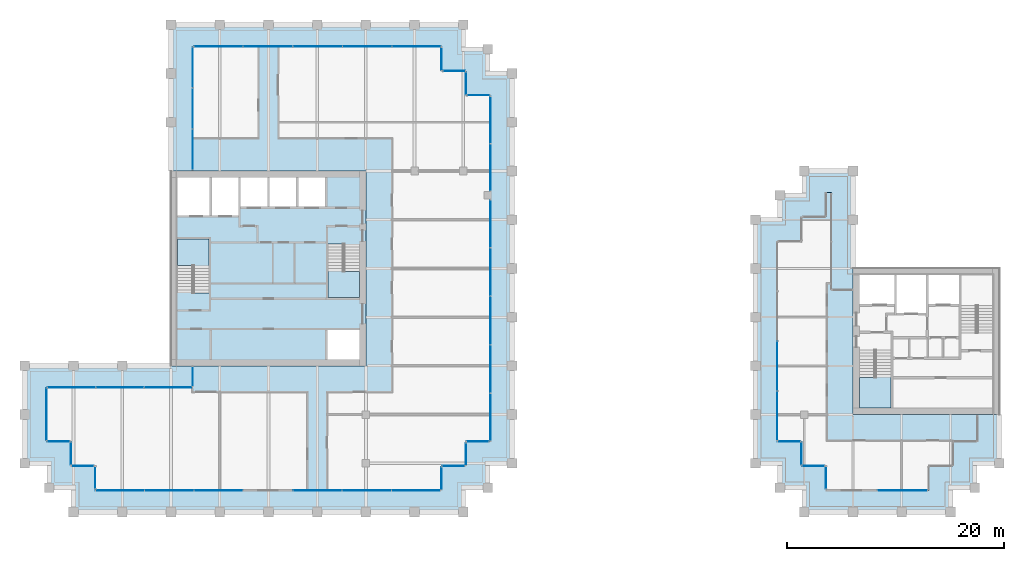
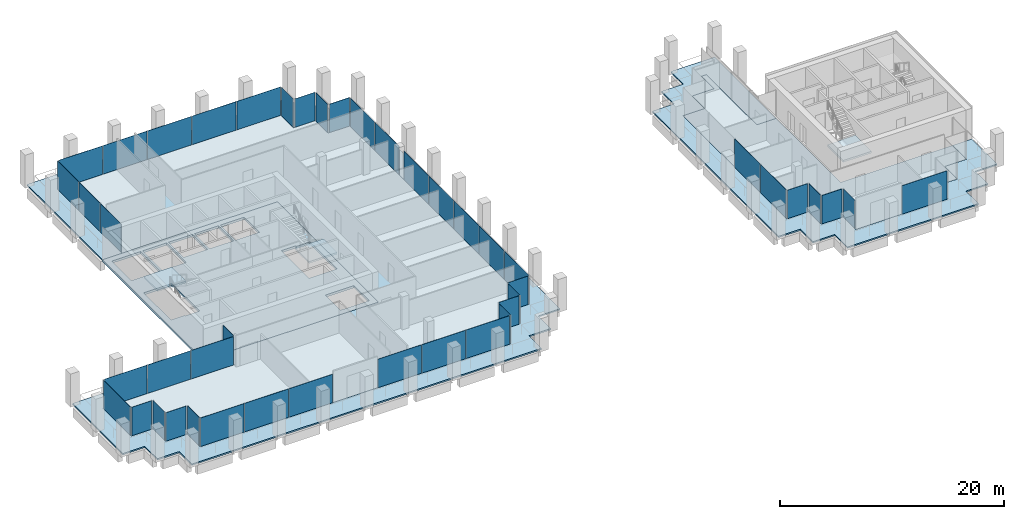
# One storey, part 34 of 40: 45 plates, 8 slabs, 30 elements without a shape of their own.
"""IFC4 building model written with IfcOpenShell, lengths in metres."""

from ifc_helpers import new_model, si_unit, direction, frame, origin, origin_2d, place, context, subcontext, project, spatial, polyline, rectangle, outline, extrude, material, layer, layer_set, type_object, element, aggregate, save


model = new_model("IFC4")

# Units and contexts
model_context = context("Model", 3, precision=1e-05, world=origin(), true_north=direction((0.0, 1.0)))
body_context = subcontext(model_context, "Body", "Model", "MODEL_VIEW")
ifc_project = project(units=[si_unit("LENGTHUNIT", "METRE"), si_unit("AREAUNIT", "SQUARE_METRE"), si_unit("VOLUMEUNIT", "CUBIC_METRE"), si_unit("PLANEANGLEUNIT", "RADIAN"), si_unit("MASSUNIT", "GRAM", prefix="KILO")], contexts=[model_context])

# Site, building, storey
site_placement = place(None, origin())
site = spatial("IfcSite", under=ifc_project, at=site_placement, CompositionType="ELEMENT")
building_placement = place(site_placement, origin())
building = spatial("IfcBuilding", under=site, at=building_placement, Name="Altepetl Exchange Towers", CompositionType="ELEMENT")
storey_placement = place(building_placement, frame((0.0, 0.0, 176.199951171875)))
storey = spatial("IfcBuildingStorey", under=building, at=storey_placement, Name="L44", CompositionType="ELEMENT", Elevation=176.199951171875)

# Slabs
ifc_material_1 = material(Name="Concrete C40/50", Category="concrete")
ifc_layer_1 = layer(ifc_material_1, 0.14990234375)
ifc_layer_set_1 = layer_set([ifc_layer_1], Name="Concrete C40/50")
slab_type_1 = type_object("IfcSlabType", Name="Composite floor slab 150", PredefinedType="FLOOR", material=ifc_layer_set_1)
slab_1_placement = place(storey_placement, frame((0.0, 0.0, -0.14990234375)))
element("IfcSlab", 1, at=slab_1_placement, inside=storey, type_object=slab_type_1, Name="slab:A:L44:strip0", PredefinedType="FLOOR", context=body_context, shape_type="SweptSolid", body=[
    extrude(outline(polyline([(42.5, 70.0), (42.5, 58.5), (58.5, 58.5), (58.5, 40.5), (42.5, 40.5), (42.5, 38.5), (29.0, 38.5), (29.0, 33.5), (31.25, 33.5), (31.25, 31.25), (33.5, 31.25), (33.5, 29.0), (65.5, 29.0), (65.5, 31.25), (67.75, 31.25), (67.75, 33.5), (70.0, 33.5), (70.0, 65.5), (67.75, 65.5), (67.75, 67.75), (65.5, 67.75), (65.5, 70.0), (42.5, 70.0)])), origin(), (0.0, 0.0, 1.0), 0.14990234375),
])
slab_2_placement = place(storey_placement, frame((0.0, 0.0, -0.14990234375)))
element("IfcSlab", 2, at=slab_2_placement, inside=storey, type_object=slab_type_1, Name="slab:B:L44:strip0", PredefinedType="FLOOR", context=body_context, shape_type="SweptSolid", body=[
    extrude(outline(polyline([(98.75, 31.25), (101.0, 31.25), (101.0, 29.0), (110.5, 29.0), (110.5, 31.25), (112.75, 31.25), (112.75, 33.5), (115.0, 33.5), (115.0, 36.0), (103.5, 36.0), (103.5, 47.5), (101.5, 47.5), (101.5, 56.5), (101.0, 56.5), (101.0, 54.25), (98.75, 54.25), (98.75, 52.0), (96.5, 52.0), (96.5, 33.5), (98.75, 33.5), (98.75, 31.25)])), origin(), (0.0, 0.0, 1.0), 0.14990234375),
])
ifc_layer_2 = layer(ifc_material_1, 0.25)
ifc_layer_set_2 = layer_set([ifc_layer_2], Name="Concrete C40/50")
slab_type_2 = type_object("IfcSlabType", Name="Core floor slab 250", PredefinedType="FLOOR", material=ifc_layer_set_2)
slab_3_placement = place(storey_placement, frame((0.0, 0.0, -0.25)))
element("IfcSlab", 3, at=slab_3_placement, inside=storey, type_object=slab_type_2, Name="slab:A:L44:core0", PredefinedType="FLOOR", context=body_context, shape_type="SweptSolid", body=[
    extrude(outline(polyline([(40.5, 40.5), (58.5, 40.5), (58.5, 58.5), (40.5, 58.5), (40.5, 40.5)]), holes=[polyline([(54.93310546875, 43.800048828125), (57.89990234375, 43.800048828125), (57.89990234375, 41.10009765625), (54.93310546875, 41.10009765625), (54.93310546875, 43.800048828125)]), polyline([(55.0, 51.7490234375), (56.5, 51.7490234375), (56.5, 51.64990234375), (57.89990234375, 51.64990234375), (57.89990234375, 46.800048828125), (55.0, 46.800048828125), (55.0, 51.7490234375)]), polyline([(44.0, 47.2509765625), (42.5, 47.2509765625), (42.5, 47.35009765625), (41.10009765625, 47.35009765625), (41.10009765625, 52.199951171875), (44.0, 52.199951171875), (44.0, 47.2509765625)]), polyline([(41.10009765625, 57.89990234375), (44.06689453125, 57.89990234375), (44.06689453125, 54.39990234375), (41.10009765625, 54.39990234375), (41.10009765625, 57.89990234375)]), polyline([(44.26708984375, 57.89990234375), (46.73291015625, 57.89990234375), (46.73291015625, 54.39990234375), (44.26708984375, 54.39990234375), (44.26708984375, 57.89990234375)]), polyline([(46.93310546875, 57.89990234375), (49.39990234375, 57.89990234375), (49.39990234375, 55.199951171875), (46.93310546875, 55.199951171875), (46.93310546875, 57.89990234375)]), polyline([(49.60009765625, 57.89990234375), (52.06689453125, 57.89990234375), (52.06689453125, 55.199951171875), (49.60009765625, 55.199951171875), (49.60009765625, 57.89990234375)]), polyline([(52.26708984375, 57.89990234375), (54.73291015625, 57.89990234375), (54.73291015625, 55.199951171875), (52.26708984375, 55.199951171875), (52.26708984375, 57.89990234375)])]), origin(), (0.0, 0.0, 1.0), 0.25),
])

# Curtain wall, plate
ifc_material_2 = material(Name="Aluminium 6063-T6 glazing", Category="aluminium")
curtain_wall_type = type_object("IfcCurtainWallType", Name="Loggia glazing system", PredefinedType="NOTDEFINED", material=ifc_material_2)
curtain_wall_1_placement = place(storey_placement, origin())
curtain_wall_1 = element("IfcCurtainWall", 4, at=curtain_wall_1_placement, inside=storey, type_object=curtain_wall_type, Name="CW1 run", PredefinedType="NOTDEFINED")
ifc_material_3 = material(Name="Glass 6-16-6 low emissivity", Category="glass")
ifc_layer_3 = layer(ifc_material_3, 0.028076171875)
ifc_layer_set_3 = layer_set([ifc_layer_3], Name="Glass 6-16-6 low emissivity")
plate_type = type_object("IfcPlateType", Name="Glass panel 28 double glazed", PredefinedType="CURTAIN_PANEL", material=ifc_layer_set_3)
plate_1_placement = place(storey_placement, frame((42.5, 39.53759765625, 0.0), z_axis=(0.0, 0.0, 1.0), x_axis=(0.0, -1.0, 0.0)))
plate_1 = element("IfcPlate", 5, at=plate_1_placement, type_object=plate_type, Name="GP1 panel", PredefinedType="CURTAIN_PANEL", context=body_context, shape_type="SweptSolid", body=[
    extrude(rectangle(XDim=1.804931640625, YDim=0.028076171875, at=origin_2d()), origin(), (0.0, 0.0, 1.0), 3.10009765625),
])
aggregate(curtain_wall_1, [plate_1])

# Curtain wall, plates
curtain_wall_2_placement = place(storey_placement, origin())
curtain_wall_2 = element("IfcCurtainWall", 6, at=curtain_wall_2_placement, inside=storey, type_object=curtain_wall_type, Name="CW1 run", PredefinedType="NOTDEFINED")
plate_2_placement = place(storey_placement, frame((40.24755859375, 38.5, 0.0), z_axis=(0.0, 0.0, 1.0), x_axis=(-1.0, 0.0, 0.0)))
plate_2 = element("IfcPlate", 7, at=plate_2_placement, type_object=plate_type, Name="GP1 panel", PredefinedType="CURTAIN_PANEL", context=body_context, shape_type="SweptSolid", body=[
    extrude(rectangle(XDim=4.385009765625, YDim=0.028076171875, at=origin_2d()), origin(), (0.0, 0.0, 1.0), 3.10009765625),
])
plate_3_placement = place(storey_placement, frame((35.78759765625, 38.5, 0.0), z_axis=(0.0, 0.0, 1.0), x_axis=(-1.0, 0.0, 0.0)))
plate_3 = element("IfcPlate", 8, at=plate_3_placement, type_object=plate_type, Name="GP1 panel", PredefinedType="CURTAIN_PANEL", context=body_context, shape_type="SweptSolid", body=[
    extrude(rectangle(XDim=4.4150390625, YDim=0.028076171875, at=origin_2d()), origin(), (0.0, 0.0, 1.0), 3.10009765625),
])
plate_4_placement = place(storey_placement, frame((31.327392578125, 38.5, 0.0), z_axis=(0.0, 0.0, 1.0), x_axis=(-1.0, 0.0, 0.0)))
plate_4 = element("IfcPlate", 9, at=plate_4_placement, type_object=plate_type, Name="GP1 panel", PredefinedType="CURTAIN_PANEL", context=body_context, shape_type="SweptSolid", body=[
    extrude(rectangle(XDim=4.385009765625, YDim=0.028076171875, at=origin_2d()), origin(), (0.0, 0.0, 1.0), 3.10009765625),
])
aggregate(curtain_wall_2, [plate_2, plate_3, plate_4])

# Curtain wall, plate
curtain_wall_3_placement = place(storey_placement, origin())
curtain_wall_3 = element("IfcCurtainWall", 10, at=curtain_wall_3_placement, inside=storey, type_object=curtain_wall_type, Name="CW1 run", PredefinedType="NOTDEFINED")
plate_5_placement = place(storey_placement, frame((29.0, 36.03759765625, 0.0), z_axis=(0.0, 0.0, 1.0), x_axis=(0.0, -1.0, 0.0)))
plate_5 = element("IfcPlate", 11, at=plate_5_placement, type_object=plate_type, Name="GP1 panel", PredefinedType="CURTAIN_PANEL", context=body_context, shape_type="SweptSolid", body=[
    extrude(rectangle(XDim=4.804931640625, YDim=0.028076171875, at=origin_2d()), origin(), (0.0, 0.0, 1.0), 3.10009765625),
])
aggregate(curtain_wall_3, [plate_5])

curtain_wall_4_placement = place(storey_placement, origin())
curtain_wall_4 = element("IfcCurtainWall", 12, at=curtain_wall_4_placement, inside=storey, type_object=curtain_wall_type, Name="CW1 run", PredefinedType="NOTDEFINED")
plate_6_placement = place(storey_placement, frame((30.08740234375, 33.5, 0.0)))
plate_6 = element("IfcPlate", 13, at=plate_6_placement, type_object=plate_type, Name="GP1 panel", PredefinedType="CURTAIN_PANEL", context=body_context, shape_type="SweptSolid", body=[
    extrude(rectangle(XDim=2.054931640625, YDim=0.028076171875, at=origin_2d()), origin(), (0.0, 0.0, 1.0), 3.10009765625),
])
aggregate(curtain_wall_4, [plate_6])

curtain_wall_5_placement = place(storey_placement, origin())
curtain_wall_5 = element("IfcCurtainWall", 14, at=curtain_wall_5_placement, inside=storey, type_object=curtain_wall_type, Name="CW1 run", PredefinedType="NOTDEFINED")
plate_7_placement = place(storey_placement, frame((31.25, 32.41259765625, 0.0), z_axis=(0.0, 0.0, 1.0), x_axis=(0.0, -1.0, 0.0)))
plate_7 = element("IfcPlate", 15, at=plate_7_placement, type_object=plate_type, Name="GP1 panel", PredefinedType="CURTAIN_PANEL", context=body_context, shape_type="SweptSolid", body=[
    extrude(rectangle(XDim=2.054931640625, YDim=0.028076171875, at=origin_2d()), origin(), (0.0, 0.0, 1.0), 3.10009765625),
])
aggregate(curtain_wall_5, [plate_7])

curtain_wall_6_placement = place(storey_placement, origin())
curtain_wall_6 = element("IfcCurtainWall", 16, at=curtain_wall_6_placement, inside=storey, type_object=curtain_wall_type, Name="CW1 run", PredefinedType="NOTDEFINED")
plate_8_placement = place(storey_placement, frame((32.33740234375, 31.25, 0.0)))
plate_8 = element("IfcPlate", 17, at=plate_8_placement, type_object=plate_type, Name="GP1 panel", PredefinedType="CURTAIN_PANEL", context=body_context, shape_type="SweptSolid", body=[
    extrude(rectangle(XDim=2.054931640625, YDim=0.028076171875, at=origin_2d()), origin(), (0.0, 0.0, 1.0), 3.10009765625),
])
aggregate(curtain_wall_6, [plate_8])

curtain_wall_7_placement = place(storey_placement, origin())
curtain_wall_7 = element("IfcCurtainWall", 18, at=curtain_wall_7_placement, inside=storey, type_object=curtain_wall_type, Name="CW1 run", PredefinedType="NOTDEFINED")
plate_9_placement = place(storey_placement, frame((33.5, 30.16259765625, 0.0), z_axis=(0.0, 0.0, 1.0), x_axis=(0.0, -1.0, 0.0)))
plate_9 = element("IfcPlate", 19, at=plate_9_placement, type_object=plate_type, Name="GP1 panel", PredefinedType="CURTAIN_PANEL", context=body_context, shape_type="SweptSolid", body=[
    extrude(rectangle(XDim=2.054931640625, YDim=0.028076171875, at=origin_2d()), origin(), (0.0, 0.0, 1.0), 3.10009765625),
])
aggregate(curtain_wall_7, [plate_9])

# Curtain wall, plates
curtain_wall_8_placement = place(storey_placement, origin())
curtain_wall_8 = element("IfcCurtainWall", 20, at=curtain_wall_8_placement, inside=storey, type_object=curtain_wall_type, Name="CW1 run", PredefinedType="NOTDEFINED")
plate_10_placement = place(storey_placement, frame((35.79541015625, 29.0, 0.0)))
plate_10 = element("IfcPlate", 21, at=plate_10_placement, type_object=plate_type, Name="GP1 panel", PredefinedType="CURTAIN_PANEL", context=body_context, shape_type="SweptSolid", body=[
    extrude(rectangle(XDim=4.470703125, YDim=0.028076171875, at=origin_2d()), origin(), (0.0, 0.0, 1.0), 3.10009765625),
])
plate_11_placement = place(storey_placement, frame((40.341064453125, 29.0, 0.0)))
plate_11 = element("IfcPlate", 22, at=plate_11_placement, type_object=plate_type, Name="GP1 panel", PredefinedType="CURTAIN_PANEL", context=body_context, shape_type="SweptSolid", body=[
    extrude(rectangle(XDim=4.500732421875, YDim=0.028076171875, at=origin_2d()), origin(), (0.0, 0.0, 1.0), 3.10009765625),
])
plate_12_placement = place(storey_placement, frame((44.88671875, 29.0, 0.0)))
plate_12 = element("IfcPlate", 23, at=plate_12_placement, type_object=plate_type, Name="GP1 panel", PredefinedType="CURTAIN_PANEL", context=body_context, shape_type="SweptSolid", body=[
    extrude(rectangle(XDim=4.470703125, YDim=0.028076171875, at=origin_2d()), origin(), (0.0, 0.0, 1.0), 3.10009765625),
])
aggregate(curtain_wall_8, [plate_10, plate_11, plate_12])

curtain_wall_9_placement = place(storey_placement, origin())
curtain_wall_9 = element("IfcCurtainWall", 24, at=curtain_wall_9_placement, inside=storey, type_object=curtain_wall_type, Name="CW1 run", PredefinedType="NOTDEFINED")
plate_13_placement = place(storey_placement, frame((54.038330078125, 29.0, 0.0)))
plate_13 = element("IfcPlate", 25, at=plate_13_placement, type_object=plate_type, Name="GP1 panel", PredefinedType="CURTAIN_PANEL", context=body_context, shape_type="SweptSolid", body=[
    extrude(rectangle(XDim=4.470703125, YDim=0.028076171875, at=origin_2d()), origin(), (0.0, 0.0, 1.0), 3.10009765625),
])
plate_14_placement = place(storey_placement, frame((58.583984375, 29.0, 0.0)))
plate_14 = element("IfcPlate", 26, at=plate_14_placement, type_object=plate_type, Name="GP1 panel", PredefinedType="CURTAIN_PANEL", context=body_context, shape_type="SweptSolid", body=[
    extrude(rectangle(XDim=4.500732421875, YDim=0.028076171875, at=origin_2d()), origin(), (0.0, 0.0, 1.0), 3.10009765625),
])
plate_15_placement = place(storey_placement, frame((63.129638671875, 29.0, 0.0)))
plate_15 = element("IfcPlate", 27, at=plate_15_placement, type_object=plate_type, Name="GP1 panel", PredefinedType="CURTAIN_PANEL", context=body_context, shape_type="SweptSolid", body=[
    extrude(rectangle(XDim=4.470703125, YDim=0.028076171875, at=origin_2d()), origin(), (0.0, 0.0, 1.0), 3.10009765625),
])
aggregate(curtain_wall_9, [plate_13, plate_14, plate_15])

# Curtain wall, plate
curtain_wall_10_placement = place(storey_placement, origin())
curtain_wall_10 = element("IfcCurtainWall", 28, at=curtain_wall_10_placement, inside=storey, type_object=curtain_wall_type, Name="CW1 run", PredefinedType="NOTDEFINED")
plate_16_placement = place(storey_placement, frame((65.5, 30.08740234375, 0.0), z_axis=(0.0, 0.0, 1.0), x_axis=(0.0, 1.0, 0.0)))
plate_16 = element("IfcPlate", 29, at=plate_16_placement, type_object=plate_type, Name="GP1 panel", PredefinedType="CURTAIN_PANEL", context=body_context, shape_type="SweptSolid", body=[
    extrude(rectangle(XDim=2.054931640625, YDim=0.028076171875, at=origin_2d()), origin(), (0.0, 0.0, 1.0), 3.10009765625),
])
aggregate(curtain_wall_10, [plate_16])

curtain_wall_11_placement = place(storey_placement, origin())
curtain_wall_11 = element("IfcCurtainWall", 30, at=curtain_wall_11_placement, inside=storey, type_object=curtain_wall_type, Name="CW1 run", PredefinedType="NOTDEFINED")
plate_17_placement = place(storey_placement, frame((66.58740234375, 31.25, 0.0)))
plate_17 = element("IfcPlate", 31, at=plate_17_placement, type_object=plate_type, Name="GP1 panel", PredefinedType="CURTAIN_PANEL", context=body_context, shape_type="SweptSolid", body=[
    extrude(rectangle(XDim=2.054931640625, YDim=0.028076171875, at=origin_2d()), origin(), (0.0, 0.0, 1.0), 3.10009765625),
])
aggregate(curtain_wall_11, [plate_17])

curtain_wall_12_placement = place(storey_placement, origin())
curtain_wall_12 = element("IfcCurtainWall", 32, at=curtain_wall_12_placement, inside=storey, type_object=curtain_wall_type, Name="CW1 run", PredefinedType="NOTDEFINED")
plate_18_placement = place(storey_placement, frame((67.75, 32.33740234375, 0.0), z_axis=(0.0, 0.0, 1.0), x_axis=(0.0, 1.0, 0.0)))
plate_18 = element("IfcPlate", 33, at=plate_18_placement, type_object=plate_type, Name="GP1 panel", PredefinedType="CURTAIN_PANEL", context=body_context, shape_type="SweptSolid", body=[
    extrude(rectangle(XDim=2.054931640625, YDim=0.028076171875, at=origin_2d()), origin(), (0.0, 0.0, 1.0), 3.10009765625),
])
aggregate(curtain_wall_12, [plate_18])

curtain_wall_13_placement = place(storey_placement, origin())
curtain_wall_13 = element("IfcCurtainWall", 34, at=curtain_wall_13_placement, inside=storey, type_object=curtain_wall_type, Name="CW1 run", PredefinedType="NOTDEFINED")
plate_19_placement = place(storey_placement, frame((68.83740234375, 33.5, 0.0)))
plate_19 = element("IfcPlate", 35, at=plate_19_placement, type_object=plate_type, Name="GP1 panel", PredefinedType="CURTAIN_PANEL", context=body_context, shape_type="SweptSolid", body=[
    extrude(rectangle(XDim=2.054931640625, YDim=0.028076171875, at=origin_2d()), origin(), (0.0, 0.0, 1.0), 3.10009765625),
])
aggregate(curtain_wall_13, [plate_19])

# Curtain wall, plates
curtain_wall_14_placement = place(storey_placement, origin())
curtain_wall_14 = element("IfcCurtainWall", 36, at=curtain_wall_14_placement, inside=storey, type_object=curtain_wall_type, Name="CW1 run", PredefinedType="NOTDEFINED")
plate_20_placement = place(storey_placement, frame((70.0, 35.7529296875, 0.0), z_axis=(0.0, 0.0, 1.0), x_axis=(0.0, 1.0, 0.0)))
plate_20 = element("IfcPlate", 37, at=plate_20_placement, type_object=plate_type, Name="GP1 panel", PredefinedType="CURTAIN_PANEL", context=body_context, shape_type="SweptSolid", body=[
    extrude(rectangle(XDim=4.385986328125, YDim=0.028076171875, at=origin_2d()), origin(), (0.0, 0.0, 1.0), 3.10009765625),
])
plate_21_placement = place(storey_placement, frame((70.0, 40.214111328125, 0.0), z_axis=(0.0, 0.0, 1.0), x_axis=(0.0, 1.0, 0.0)))
plate_21 = element("IfcPlate", 38, at=plate_21_placement, type_object=plate_type, Name="GP1 panel", PredefinedType="CURTAIN_PANEL", context=body_context, shape_type="SweptSolid", body=[
    extrude(rectangle(XDim=4.416015625, YDim=0.028076171875, at=origin_2d()), origin(), (0.0, 0.0, 1.0), 3.10009765625),
])
plate_22_placement = place(storey_placement, frame((70.0, 44.68994140625, 0.0), z_axis=(0.0, 0.0, 1.0), x_axis=(0.0, 1.0, 0.0)))
plate_22 = element("IfcPlate", 39, at=plate_22_placement, type_object=plate_type, Name="GP1 panel", PredefinedType="CURTAIN_PANEL", context=body_context, shape_type="SweptSolid", body=[
    extrude(rectangle(XDim=4.416015625, YDim=0.028076171875, at=origin_2d()), origin(), (0.0, 0.0, 1.0), 3.10009765625),
])
plate_23_placement = place(storey_placement, frame((70.0, 49.166015625, 0.0), z_axis=(0.0, 0.0, 1.0), x_axis=(0.0, 1.0, 0.0)))
plate_23 = element("IfcPlate", 40, at=plate_23_placement, type_object=plate_type, Name="GP1 panel", PredefinedType="CURTAIN_PANEL", context=body_context, shape_type="SweptSolid", body=[
    extrude(rectangle(XDim=4.416015625, YDim=0.028076171875, at=origin_2d()), origin(), (0.0, 0.0, 1.0), 3.10009765625),
])
plate_24_placement = place(storey_placement, frame((70.0, 53.626953125, 0.0), z_axis=(0.0, 0.0, 1.0), x_axis=(0.0, 1.0, 0.0)))
plate_24 = element("IfcPlate", 41, at=plate_24_placement, type_object=plate_type, Name="GP1 panel", PredefinedType="CURTAIN_PANEL", context=body_context, shape_type="SweptSolid", body=[
    extrude(rectangle(XDim=4.385986328125, YDim=0.028076171875, at=origin_2d()), origin(), (0.0, 0.0, 1.0), 3.10009765625),
])
aggregate(curtain_wall_14, [plate_20, plate_21, plate_22, plate_23, plate_24])

curtain_wall_15_placement = place(storey_placement, origin())
curtain_wall_15 = element("IfcCurtainWall", 42, at=curtain_wall_15_placement, inside=storey, type_object=curtain_wall_type, Name="CW1 run", PredefinedType="NOTDEFINED")
plate_25_placement = place(storey_placement, frame((70.0, 58.836181640625, 0.0), z_axis=(0.0, 0.0, 1.0), x_axis=(0.0, 1.0, 0.0)))
plate_25 = element("IfcPlate", 43, at=plate_25_placement, type_object=plate_type, Name="GP1 panel", PredefinedType="CURTAIN_PANEL", context=body_context, shape_type="SweptSolid", body=[
    extrude(rectangle(XDim=4.3125, YDim=0.028076171875, at=origin_2d()), origin(), (0.0, 0.0, 1.0), 3.10009765625),
])
plate_26_placement = place(storey_placement, frame((70.0, 63.208740234375, 0.0), z_axis=(0.0, 0.0, 1.0), x_axis=(0.0, 1.0, 0.0)))
plate_26 = element("IfcPlate", 44, at=plate_26_placement, type_object=plate_type, Name="GP1 panel", PredefinedType="CURTAIN_PANEL", context=body_context, shape_type="SweptSolid", body=[
    extrude(rectangle(XDim=4.3125, YDim=0.028076171875, at=origin_2d()), origin(), (0.0, 0.0, 1.0), 3.10009765625),
])
aggregate(curtain_wall_15, [plate_25, plate_26])

# Curtain wall, plate
curtain_wall_16_placement = place(storey_placement, origin())
curtain_wall_16 = element("IfcCurtainWall", 45, at=curtain_wall_16_placement, inside=storey, type_object=curtain_wall_type, Name="CW1 run", PredefinedType="NOTDEFINED")
plate_27_placement = place(storey_placement, frame((68.91259765625, 65.5, 0.0), z_axis=(0.0, 0.0, 1.0), x_axis=(-1.0, 0.0, 0.0)))
plate_27 = element("IfcPlate", 46, at=plate_27_placement, type_object=plate_type, Name="GP1 panel", PredefinedType="CURTAIN_PANEL", context=body_context, shape_type="SweptSolid", body=[
    extrude(rectangle(XDim=2.054931640625, YDim=0.028076171875, at=origin_2d()), origin(), (0.0, 0.0, 1.0), 3.10009765625),
])
aggregate(curtain_wall_16, [plate_27])

curtain_wall_17_placement = place(storey_placement, origin())
curtain_wall_17 = element("IfcCurtainWall", 47, at=curtain_wall_17_placement, inside=storey, type_object=curtain_wall_type, Name="CW1 run", PredefinedType="NOTDEFINED")
plate_28_placement = place(storey_placement, frame((67.75, 66.58740234375, 0.0), z_axis=(0.0, 0.0, 1.0), x_axis=(0.0, 1.0, 0.0)))
plate_28 = element("IfcPlate", 48, at=plate_28_placement, type_object=plate_type, Name="GP1 panel", PredefinedType="CURTAIN_PANEL", context=body_context, shape_type="SweptSolid", body=[
    extrude(rectangle(XDim=2.054931640625, YDim=0.028076171875, at=origin_2d()), origin(), (0.0, 0.0, 1.0), 3.10009765625),
])
aggregate(curtain_wall_17, [plate_28])

curtain_wall_18_placement = place(storey_placement, origin())
curtain_wall_18 = element("IfcCurtainWall", 49, at=curtain_wall_18_placement, inside=storey, type_object=curtain_wall_type, Name="CW1 run", PredefinedType="NOTDEFINED")
plate_29_placement = place(storey_placement, frame((66.66259765625, 67.75, 0.0), z_axis=(0.0, 0.0, 1.0), x_axis=(-1.0, 0.0, 0.0)))
plate_29 = element("IfcPlate", 50, at=plate_29_placement, type_object=plate_type, Name="GP1 panel", PredefinedType="CURTAIN_PANEL", context=body_context, shape_type="SweptSolid", body=[
    extrude(rectangle(XDim=2.054931640625, YDim=0.028076171875, at=origin_2d()), origin(), (0.0, 0.0, 1.0), 3.10009765625),
])
aggregate(curtain_wall_18, [plate_29])

curtain_wall_19_placement = place(storey_placement, origin())
curtain_wall_19 = element("IfcCurtainWall", 51, at=curtain_wall_19_placement, inside=storey, type_object=curtain_wall_type, Name="CW1 run", PredefinedType="NOTDEFINED")
plate_30_placement = place(storey_placement, frame((65.5, 68.83740234375, 0.0), z_axis=(0.0, 0.0, 1.0), x_axis=(0.0, 1.0, 0.0)))
plate_30 = element("IfcPlate", 52, at=plate_30_placement, type_object=plate_type, Name="GP1 panel", PredefinedType="CURTAIN_PANEL", context=body_context, shape_type="SweptSolid", body=[
    extrude(rectangle(XDim=2.054931640625, YDim=0.028076171875, at=origin_2d()), origin(), (0.0, 0.0, 1.0), 3.10009765625),
])
aggregate(curtain_wall_19, [plate_30])

# Curtain wall, plates
curtain_wall_20_placement = place(storey_placement, origin())
curtain_wall_20 = element("IfcCurtainWall", 53, at=curtain_wall_20_placement, inside=storey, type_object=curtain_wall_type, Name="CW1 run", PredefinedType="NOTDEFINED")
plate_31_placement = place(storey_placement, frame((63.1923828125, 70.0, 0.0), z_axis=(0.0, 0.0, 1.0), x_axis=(-1.0, 0.0, 0.0)))
plate_31 = element("IfcPlate", 54, at=plate_31_placement, type_object=plate_type, Name="GP1 panel", PredefinedType="CURTAIN_PANEL", context=body_context, shape_type="SweptSolid", body=[
    extrude(rectangle(XDim=4.4951171875, YDim=0.028076171875, at=origin_2d()), origin(), (0.0, 0.0, 1.0), 3.10009765625),
])
plate_32_placement = place(storey_placement, frame((58.62255859375, 70.0, 0.0), z_axis=(0.0, 0.0, 1.0), x_axis=(-1.0, 0.0, 0.0)))
plate_32 = element("IfcPlate", 55, at=plate_32_placement, type_object=plate_type, Name="GP1 panel", PredefinedType="CURTAIN_PANEL", context=body_context, shape_type="SweptSolid", body=[
    extrude(rectangle(XDim=4.52490234375, YDim=0.028076171875, at=origin_2d()), origin(), (0.0, 0.0, 1.0), 3.10009765625),
])
plate_33_placement = place(storey_placement, frame((54.03759765625, 70.0, 0.0), z_axis=(0.0, 0.0, 1.0), x_axis=(-1.0, 0.0, 0.0)))
plate_33 = element("IfcPlate", 56, at=plate_33_placement, type_object=plate_type, Name="GP1 panel", PredefinedType="CURTAIN_PANEL", context=body_context, shape_type="SweptSolid", body=[
    extrude(rectangle(XDim=4.52490234375, YDim=0.028076171875, at=origin_2d()), origin(), (0.0, 0.0, 1.0), 3.10009765625),
])
plate_34_placement = place(storey_placement, frame((49.452392578125, 70.0, 0.0), z_axis=(0.0, 0.0, 1.0), x_axis=(-1.0, 0.0, 0.0)))
plate_34 = element("IfcPlate", 57, at=plate_34_placement, type_object=plate_type, Name="GP1 panel", PredefinedType="CURTAIN_PANEL", context=body_context, shape_type="SweptSolid", body=[
    extrude(rectangle(XDim=4.52490234375, YDim=0.028076171875, at=origin_2d()), origin(), (0.0, 0.0, 1.0), 3.10009765625),
])
plate_35_placement = place(storey_placement, frame((44.882568359375, 70.0, 0.0), z_axis=(0.0, 0.0, 1.0), x_axis=(-1.0, 0.0, 0.0)))
plate_35 = element("IfcPlate", 58, at=plate_35_placement, type_object=plate_type, Name="GP1 panel", PredefinedType="CURTAIN_PANEL", context=body_context, shape_type="SweptSolid", body=[
    extrude(rectangle(XDim=4.4951171875, YDim=0.028076171875, at=origin_2d()), origin(), (0.0, 0.0, 1.0), 3.10009765625),
])
aggregate(curtain_wall_20, [plate_31, plate_32, plate_33, plate_34, plate_35])

curtain_wall_21_placement = place(storey_placement, origin())
curtain_wall_21 = element("IfcCurtainWall", 59, at=curtain_wall_21_placement, inside=storey, type_object=curtain_wall_type, Name="CW1 run", PredefinedType="NOTDEFINED")
plate_36_placement = place(storey_placement, frame((42.5, 68.080810546875, 0.0), z_axis=(0.0, 0.0, 1.0), x_axis=(0.0, -1.0, 0.0)))
plate_36 = element("IfcPlate", 60, at=plate_36_placement, type_object=plate_type, Name="GP1 panel", PredefinedType="CURTAIN_PANEL", context=body_context, shape_type="SweptSolid", body=[
    extrude(rectangle(XDim=3.71826171875, YDim=0.028076171875, at=origin_2d()), origin(), (0.0, 0.0, 1.0), 3.10009765625),
])
plate_37_placement = place(storey_placement, frame((42.5, 64.28759765625, 0.0), z_axis=(0.0, 0.0, 1.0), x_axis=(0.0, -1.0, 0.0)))
plate_37 = element("IfcPlate", 61, at=plate_37_placement, type_object=plate_type, Name="GP1 panel", PredefinedType="CURTAIN_PANEL", context=body_context, shape_type="SweptSolid", body=[
    extrude(rectangle(XDim=3.748291015625, YDim=0.028076171875, at=origin_2d()), origin(), (0.0, 0.0, 1.0), 3.10009765625),
])
plate_38_placement = place(storey_placement, frame((42.5, 60.494140625, 0.0), z_axis=(0.0, 0.0, 1.0), x_axis=(0.0, -1.0, 0.0)))
plate_38 = element("IfcPlate", 62, at=plate_38_placement, type_object=plate_type, Name="GP1 panel", PredefinedType="CURTAIN_PANEL", context=body_context, shape_type="SweptSolid", body=[
    extrude(rectangle(XDim=3.71826171875, YDim=0.028076171875, at=origin_2d()), origin(), (0.0, 0.0, 1.0), 3.10009765625),
])
aggregate(curtain_wall_21, [plate_36, plate_37, plate_38])

# Curtain wall, plate
curtain_wall_22_placement = place(storey_placement, origin())
curtain_wall_22 = element("IfcCurtainWall", 63, at=curtain_wall_22_placement, inside=storey, type_object=curtain_wall_type, Name="CW1 run", PredefinedType="NOTDEFINED")
plate_39_placement = place(storey_placement, frame((101.0, 30.16259765625, 0.0), z_axis=(0.0, 0.0, 1.0), x_axis=(0.0, -1.0, 0.0)))
plate_39 = element("IfcPlate", 64, at=plate_39_placement, type_object=plate_type, Name="GP1 panel", PredefinedType="CURTAIN_PANEL", context=body_context, shape_type="SweptSolid", body=[
    extrude(rectangle(XDim=2.054931640625, YDim=0.028076171875, at=origin_2d()), origin(), (0.0, 0.0, 1.0), 3.10009765625),
])
aggregate(curtain_wall_22, [plate_39])

curtain_wall_23_placement = place(storey_placement, origin())
curtain_wall_23 = element("IfcCurtainWall", 65, at=curtain_wall_23_placement, inside=storey, type_object=curtain_wall_type, Name="CW1 run", PredefinedType="NOTDEFINED")
plate_40_placement = place(storey_placement, frame((108.06884765625, 29.0, 0.0)))
plate_40 = element("IfcPlate", 66, at=plate_40_placement, type_object=plate_type, Name="GP1 panel", PredefinedType="CURTAIN_PANEL", context=body_context, shape_type="SweptSolid", body=[
    extrude(rectangle(XDim=4.592529296875, YDim=0.028076171875, at=origin_2d()), origin(), (0.0, 0.0, 1.0), 3.10009765625),
])
aggregate(curtain_wall_23, [plate_40])

# Curtain wall, plates
curtain_wall_24_placement = place(storey_placement, origin())
curtain_wall_24 = element("IfcCurtainWall", 67, at=curtain_wall_24_placement, inside=storey, type_object=curtain_wall_type, Name="CW1 run", PredefinedType="NOTDEFINED")
plate_41_placement = place(storey_placement, frame((96.5, 40.484375, 0.0), z_axis=(0.0, 0.0, 1.0), x_axis=(0.0, -1.0, 0.0)))
plate_41 = element("IfcPlate", 68, at=plate_41_placement, type_object=plate_type, Name="GP1 panel", PredefinedType="CURTAIN_PANEL", context=body_context, shape_type="SweptSolid", body=[
    extrude(rectangle(XDim=4.546142578125, YDim=0.028076171875, at=origin_2d()), origin(), (0.0, 0.0, 1.0), 3.10009765625),
])
plate_42_placement = place(storey_placement, frame((96.5, 35.89306640625, 0.0), z_axis=(0.0, 0.0, 1.0), x_axis=(0.0, -1.0, 0.0)))
plate_42 = element("IfcPlate", 69, at=plate_42_placement, type_object=plate_type, Name="GP1 panel", PredefinedType="CURTAIN_PANEL", context=body_context, shape_type="SweptSolid", body=[
    extrude(rectangle(XDim=4.516357421875, YDim=0.028076171875, at=origin_2d()), origin(), (0.0, 0.0, 1.0), 3.10009765625),
])
aggregate(curtain_wall_24, [plate_41, plate_42])

# Curtain wall, plate
curtain_wall_25_placement = place(storey_placement, origin())
curtain_wall_25 = element("IfcCurtainWall", 70, at=curtain_wall_25_placement, inside=storey, type_object=curtain_wall_type, Name="CW1 run", PredefinedType="NOTDEFINED")
plate_43_placement = place(storey_placement, frame((97.58740234375, 33.5, 0.0)))
plate_43 = element("IfcPlate", 71, at=plate_43_placement, type_object=plate_type, Name="GP1 panel", PredefinedType="CURTAIN_PANEL", context=body_context, shape_type="SweptSolid", body=[
    extrude(rectangle(XDim=2.054931640625, YDim=0.028076171875, at=origin_2d()), origin(), (0.0, 0.0, 1.0), 3.10009765625),
])
aggregate(curtain_wall_25, [plate_43])

curtain_wall_26_placement = place(storey_placement, origin())
curtain_wall_26 = element("IfcCurtainWall", 72, at=curtain_wall_26_placement, inside=storey, type_object=curtain_wall_type, Name="CW1 run", PredefinedType="NOTDEFINED")
plate_44_placement = place(storey_placement, frame((98.75, 32.41259765625, 0.0), z_axis=(0.0, 0.0, 1.0), x_axis=(0.0, -1.0, 0.0)))
plate_44 = element("IfcPlate", 73, at=plate_44_placement, type_object=plate_type, Name="GP1 panel", PredefinedType="CURTAIN_PANEL", context=body_context, shape_type="SweptSolid", body=[
    extrude(rectangle(XDim=2.054931640625, YDim=0.028076171875, at=origin_2d()), origin(), (0.0, 0.0, 1.0), 3.10009765625),
])
aggregate(curtain_wall_26, [plate_44])

curtain_wall_27_placement = place(storey_placement, origin())
curtain_wall_27 = element("IfcCurtainWall", 74, at=curtain_wall_27_placement, inside=storey, type_object=curtain_wall_type, Name="CW1 run", PredefinedType="NOTDEFINED")
plate_45_placement = place(storey_placement, frame((99.83740234375, 31.25, 0.0)))
plate_45 = element("IfcPlate", 75, at=plate_45_placement, type_object=plate_type, Name="GP1 panel", PredefinedType="CURTAIN_PANEL", context=body_context, shape_type="SweptSolid", body=[
    extrude(rectangle(XDim=2.054931640625, YDim=0.028076171875, at=origin_2d()), origin(), (0.0, 0.0, 1.0), 3.10009765625),
])
aggregate(curtain_wall_27, [plate_45])

# Slabs
ifc_layer_4 = layer(ifc_material_1, 0.14990234375)
ifc_layer_set_4 = layer_set([ifc_layer_4], Name="Concrete C40/50")
slab_type_3 = type_object("IfcSlabType", Name="Loggia slab 150", PredefinedType="FLOOR", material=ifc_layer_set_4)
slab_4_placement = place(storey_placement, frame((0.0, 0.0, -0.14990234375)))
element("IfcSlab", 76, at=slab_4_placement, inside=storey, type_object=slab_type_3, Name="slab:A:L44:loggia0", PredefinedType="FLOOR", context=body_context, shape_type="SweptSolid", body=[
    extrude(outline(polyline([(40.5, 72.0), (40.5, 58.5), (42.5, 58.5), (42.5, 70.0), (65.5, 70.0), (65.5, 67.75), (67.75, 67.75), (67.75, 65.5), (70.0, 65.5), (70.0, 33.5), (67.75, 33.5), (67.75, 31.25), (65.5, 31.25), (65.5, 29.0), (33.5, 29.0), (33.5, 31.25), (31.25, 31.25), (31.25, 33.5), (29.0, 33.5), (29.0, 38.5), (42.5, 38.5), (42.5, 40.5), (40.5, 40.5), (27.0, 40.5), (27.0, 31.5), (29.25, 31.5), (29.25, 29.25), (31.5, 29.25), (31.5, 27.0), (58.5, 27.0), (67.5, 27.0), (67.5, 29.25), (69.75, 29.25), (69.75, 31.5), (72.0, 31.5), (72.0, 58.5), (72.0, 67.5), (69.75, 67.5), (69.75, 69.75), (67.5, 69.75), (67.5, 72.0), (40.5, 72.0)])), origin(), (0.0, 0.0, 1.0), 0.14990234375),
])
slab_5_placement = place(storey_placement, frame((0.0, 0.0, -0.14990234375)))
element("IfcSlab", 77, at=slab_5_placement, inside=storey, type_object=slab_type_3, Name="slab:B:L44:loggia0", PredefinedType="FLOOR", context=body_context, shape_type="SweptSolid", body=[
    extrude(outline(polyline([(99.0, 29.25), (99.0, 27.0), (112.5, 27.0), (112.5, 29.25), (114.75, 29.25), (114.75, 31.5), (117.0, 31.5), (117.0, 36.0), (115.0, 36.0), (115.0, 33.5), (112.75, 33.5), (112.75, 31.25), (110.5, 31.25), (110.5, 29.0), (101.0, 29.0), (101.0, 31.25), (98.75, 31.25), (98.75, 33.5), (96.5, 33.5), (96.5, 52.0), (98.75, 52.0), (98.75, 54.25), (101.0, 54.25), (101.0, 56.5), (101.5, 56.5), (101.5, 47.5), (103.5, 47.5), (103.5, 49.5), (103.5, 58.5), (99.0, 58.5), (99.0, 56.25), (96.75, 56.25), (96.75, 54.0), (94.5, 54.0), (94.5, 36.0), (94.5, 31.5), (96.75, 31.5), (96.75, 29.25), (99.0, 29.25)])), origin(), (0.0, 0.0, 1.0), 0.14990234375),
])

# Stair, slab
stair_type = type_object("IfcStairType", Name="Exit stair 1400 flights dogleg", PredefinedType="HALF_TURN_STAIR", material=ifc_material_1)
stair_1_placement = place(storey_placement, origin())
stair_1 = element("IfcStair", 78, at=stair_1_placement, inside=storey, type_object=stair_type, Name="Exit stair 1", PredefinedType="HALF_TURN_STAIR")
ifc_layer_5 = layer(ifc_material_1, 0.199951171875)
ifc_layer_set_5 = layer_set([ifc_layer_5], Name="Concrete C40/50")
slab_type_4 = type_object("IfcSlabType", Name="Stair landing 200 reinforced concrete", PredefinedType="LANDING", material=ifc_layer_set_5)
slab_6_placement = place(storey_placement, frame((0.0, 0.0, 1.60009765625)))
slab_6 = element("IfcSlab", 79, at=slab_6_placement, type_object=slab_type_4, Name="ST-A1e landing 1", PredefinedType="LANDING", context=body_context, shape_type="SweptSolid", body=[
    extrude(outline(polyline([(44.0, 49.669921875), (42.60009765625, 49.669921875), (42.60009765625, 49.77001953125), (42.5, 49.77001953125), (42.5, 49.769287109375), (41.10009765625, 49.769287109375), (41.10009765625, 49.77001953125), (41.10009765625, 52.199951171875), (44.0, 52.199951171875), (44.0, 49.77001953125), (44.0, 49.669921875)])), origin(), (0.0, 0.0, 1.0), 0.199951171875),
])
aggregate(stair_1, [slab_6])

stair_2_placement = place(storey_placement, origin())
stair_2 = element("IfcStair", 80, at=stair_2_placement, inside=storey, type_object=stair_type, Name="Exit stair 2", PredefinedType="HALF_TURN_STAIR")
slab_7_placement = place(storey_placement, frame((0.0, 0.0, 1.60009765625)))
slab_7 = element("IfcSlab", 81, at=slab_7_placement, type_object=slab_type_4, Name="ST-A2e landing 1", PredefinedType="LANDING", context=body_context, shape_type="SweptSolid", body=[
    extrude(outline(polyline([(57.89990234375, 46.800048828125), (55.0, 46.800048828125), (55.0, 49.22998046875), (55.0, 49.330078125), (56.39990234375, 49.330078125), (56.39990234375, 49.22998046875), (56.5, 49.22998046875), (56.5, 49.230712890625), (57.89990234375, 49.230712890625), (57.89990234375, 49.22998046875), (57.89990234375, 46.800048828125)])), origin(), (0.0, 0.0, 1.0), 0.199951171875),
])
aggregate(stair_2, [slab_7])

stair_3_placement = place(storey_placement, origin())
stair_3 = element("IfcStair", 82, at=stair_3_placement, inside=storey, type_object=stair_type, Name="Exit stair 1", PredefinedType="HALF_TURN_STAIR")
slab_8_placement = place(storey_placement, frame((0.0, 0.0, 1.60009765625)))
slab_8 = element("IfcSlab", 83, at=slab_8_placement, type_object=slab_type_4, Name="ST-B1e landing 1", PredefinedType="LANDING", context=body_context, shape_type="SweptSolid", body=[
    extrude(outline(polyline([(107.0, 36.60009765625), (104.10009765625, 36.60009765625), (104.10009765625, 39.429931640625), (104.10009765625, 39.4306640625), (105.5, 39.4306640625), (105.5, 39.429931640625), (105.60009765625, 39.429931640625), (105.60009765625, 39.530029296875), (107.0, 39.530029296875), (107.0, 39.429931640625), (107.0, 36.60009765625)])), origin(), (0.0, 0.0, 1.0), 0.199951171875),
])
aggregate(stair_3, [slab_8])

save(model, "model.ifc")
